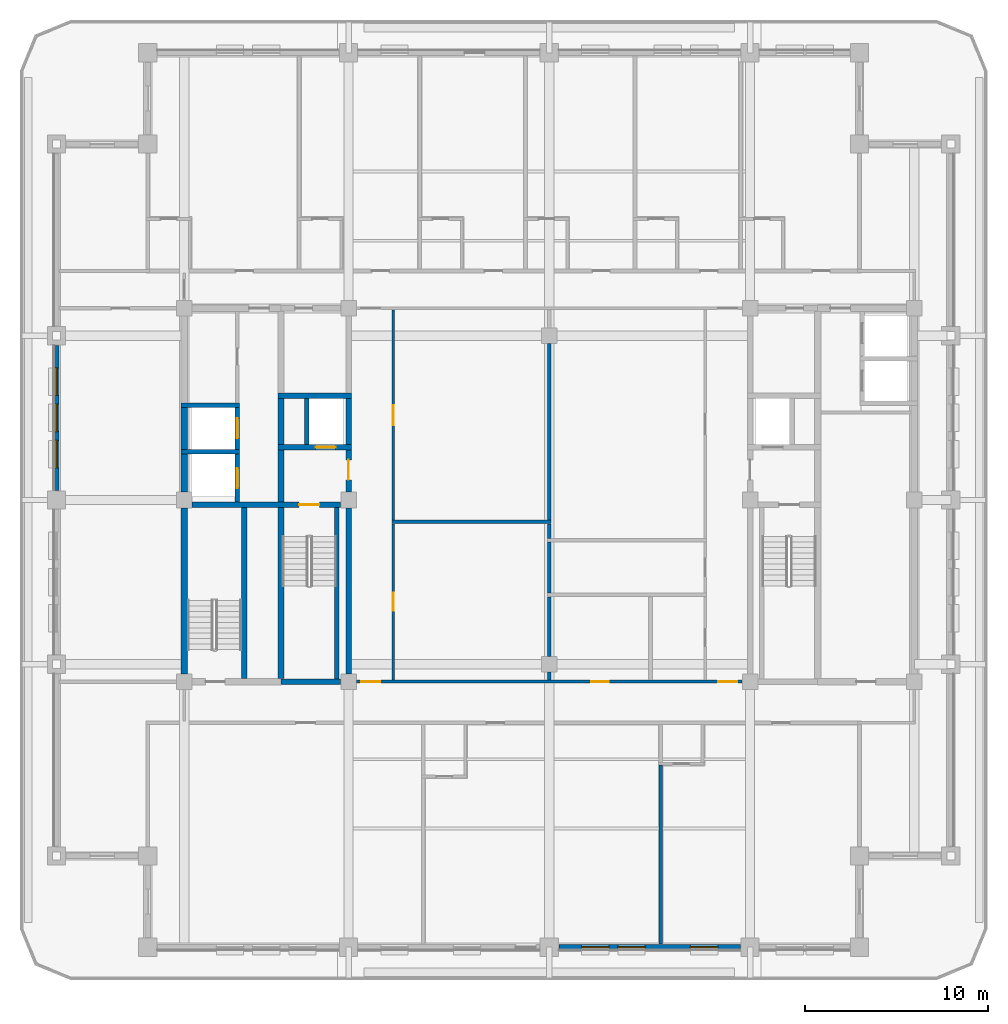
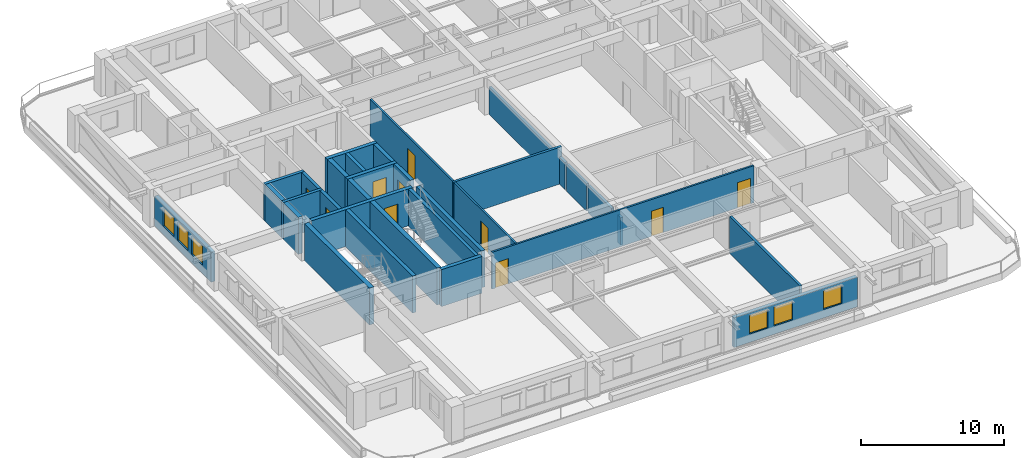
# One storey, part 3 of 14: 32 walls, 10 doors, 6 windows, 16 openings.
"""IFC4 building model written with IfcOpenShell, lengths in metres."""

from ifc_helpers import new_model, si_unit, direction, frame, frame_2d, origin, place, context, subcontext, project, spatial, rectangle, extrude, material, layer, layer_set, type_object, element, fill, save


model = new_model("IFC4")

# Units and contexts
model_context = context("Model", 3, precision=1e-05, world=origin(), true_north=direction((0.0, 1.0)))
body_context = subcontext(model_context, "Body", "Model", "MODEL_VIEW")
ifc_project = project(units=[si_unit("LENGTHUNIT", "METRE"), si_unit("AREAUNIT", "SQUARE_METRE"), si_unit("VOLUMEUNIT", "CUBIC_METRE"), si_unit("PLANEANGLEUNIT", "RADIAN"), si_unit("MASSUNIT", "GRAM", prefix="KILO")], contexts=[model_context])

# Site, building, storey
site_placement = place(None, origin())
site = spatial("IfcSite", under=ifc_project, at=site_placement, CompositionType="ELEMENT")
building_placement = place(site_placement, origin())
building = spatial("IfcBuilding", under=site, at=building_placement, Name="Zulmaris Gate Convention Tower", CompositionType="ELEMENT")
storey_placement = place(building_placement, frame((0.0, 0.0, 194.85986328125)))
storey = spatial("IfcBuildingStorey", under=building, at=storey_placement, Name="L50", CompositionType="ELEMENT", Elevation=194.85986328125)

# Walls
ifc_material_1 = material(Name="Concrete C50/60", Category="concrete")
ifc_layer_1 = layer(ifc_material_1, 0.25, Name="Concrete C50/60")
ifc_layer_set_1 = layer_set([ifc_layer_1], Name="Concrete C50/60")
wall_type_1 = type_object("IfcWallType", Name="CORE-250", PredefinedType="SOLIDWALL", material=ifc_layer_set_1)
for number, where, z_axis, x_axis, name in (
    (1, (-20.175048828125, 2.64990234375, 0.0), (0.0, 0.0, 1.0), (1.0, 0.0, 0.0), "WL-L50-007"),
    (2, (-20.175048828125, 5.199951171875, 0.0), (0.0, 0.0, 1.0), (1.0, 0.0, 0.0), "WL-L50-010"),
):
    element("IfcWall", number, at=place(storey_placement, frame(where, z_axis=z_axis, x_axis=x_axis)), inside=storey, type_object=wall_type_1, Name=name, PredefinedType="SOLIDWALL", context=body_context, shape_type="SweptSolid", body=[
        extrude(rectangle(XDim=3.199951171875, YDim=0.25, at=frame_2d((1.60009765625, 0.0))), origin(), (0.0, 0.0, 1.0), 3.150146484375),
    ])

# Wall, opening, door
wall_1_placement = place(storey_placement, frame((-17.10009765625, -0.097900390625, 0.0), z_axis=(0.0, 0.0, 1.0), x_axis=(0.0, 1.0, 0.0)))
wall_1 = element("IfcWall", 3, at=wall_1_placement, inside=storey, type_object=wall_type_1, Name="WL-L50-044", PredefinedType="SOLIDWALL", context=body_context, shape_type="SweptSolid", body=[
    extrude(rectangle(XDim=2.620849609375, YDim=0.25, at=frame_2d((1.310546875, 0.0))), origin(), (0.0, 0.0, 1.0), 3.150146484375),
])
opening_1_placement = place(wall_1_placement, frame((0.748046875, 0.0, 0.0)))
opening_1 = element("IfcOpeningElement", 4, at=opening_1_placement, cuts=wall_1, Name="Opening D-06", PredefinedType="OPENING", context=body_context, shape_type="SweptSolid", body=[
    extrude(rectangle(XDim=1.10009765625, YDim=2.199951171875, at=frame_2d((0.550048828125, 1.10009765625))), frame((0.0, 0.135009765625, 0.0), z_axis=(0.0, -1.0, 0.0), x_axis=(1.0, 0.0, 0.0)), (0.0, 0.0, 1.0), 0.27001953125),
])
ifc_material_2 = material(Name="Brushed Stainless Steel", Category="steel")
door_type_1 = type_object("IfcDoorType", Name="LD-1100", OperationType="NOTDEFINED", PredefinedType="DOOR", material=ifc_material_2)
door_1_placement = place(opening_1_placement, origin())
door_1 = element("IfcDoor", 5, at=door_1_placement, inside=storey, type_object=door_type_1, Name="L50 Lift Landing Door HP-03 10", OperationType="SLIDING_TO_LEFT", OverallHeight=2.199951171875, OverallWidth=1.10009765625, PredefinedType="DOOR", context=body_context, shape_type="SweptSolid", body=[
    extrude(rectangle(XDim=1.10009765625, YDim=2.199951171875, at=frame_2d((0.550048828125, 1.10009765625))), frame((0.0, 0.02490234375, 0.0), z_axis=(0.0, -1.0, 0.0), x_axis=(1.0, 0.0, 0.0)), (0.0, 0.0, 1.0), 0.050048828125),
])
fill(opening_1, door_1)

wall_2_placement = place(storey_placement, frame((-17.10009765625, 2.777099609375, 0.0), z_axis=(0.0, 0.0, 1.0), x_axis=(0.0, 1.0, 0.0)))
wall_2 = element("IfcWall", 6, at=wall_2_placement, inside=storey, type_object=wall_type_1, Name="WL-L50-045", PredefinedType="SOLIDWALL", context=body_context, shape_type="SweptSolid", body=[
    extrude(rectangle(XDim=2.2958984375, YDim=0.25, at=frame_2d((1.14794921875, 0.0))), origin(), (0.0, 0.0, 1.0), 3.150146484375),
])
opening_2_placement = place(wall_2_placement, frame((0.597900390625, 0.0, 0.0)))
opening_2 = element("IfcOpeningElement", 7, at=opening_2_placement, cuts=wall_2, Name="Opening D-06", PredefinedType="OPENING", context=body_context, shape_type="SweptSolid", body=[
    extrude(rectangle(XDim=1.10009765625, YDim=2.199951171875, at=frame_2d((0.550048828125, 1.10009765625))), frame((0.0, 0.135009765625, 0.0), z_axis=(0.0, -1.0, 0.0), x_axis=(1.0, 0.0, 0.0)), (0.0, 0.0, 1.0), 0.27001953125),
])
door_2_placement = place(opening_2_placement, origin())
door_2 = element("IfcDoor", 8, at=door_2_placement, inside=storey, type_object=door_type_1, Name="L50 Lift Landing Door HP-04 11", OperationType="SLIDING_TO_LEFT", OverallHeight=2.199951171875, OverallWidth=1.10009765625, PredefinedType="DOOR", context=body_context, shape_type="SweptSolid", body=[
    extrude(rectangle(XDim=1.10009765625, YDim=2.199951171875, at=frame_2d((0.550048828125, 1.10009765625))), frame((0.0, 0.02490234375, 0.0), z_axis=(0.0, -1.0, 0.0), x_axis=(1.0, 0.0, 0.0)), (0.0, 0.0, 1.0), 0.050048828125),
])
fill(opening_2, door_2)

# Walls
wall_3_placement = place(storey_placement, frame((-13.300048828125, 3.052001953125, 0.0), z_axis=(0.0, 0.0, 1.0), x_axis=(0.0, 1.0, 0.0)))
element("IfcWall", 9, at=wall_3_placement, inside=storey, type_object=wall_type_1, Name="WL-L50-051", PredefinedType="SOLIDWALL", context=body_context, shape_type="SweptSolid", body=[
    extrude(rectangle(XDim=2.49609375, YDim=0.25, at=frame_2d((1.248046875, 0.0))), origin(), (0.0, 0.0, 1.0), 3.150146484375),
])
wall_4_placement = place(storey_placement, frame((-11.64990234375, -9.798095703125, 0.0), z_axis=(0.0, 0.0, 1.0), x_axis=(0.0, 1.0, 0.0)))
element("IfcWall", 10, at=wall_4_placement, inside=storey, type_object=wall_type_1, Name="WL-L50-052", PredefinedType="SOLIDWALL", context=body_context, shape_type="SweptSolid", body=[
    extrude(rectangle(XDim=9.39599609375, YDim=0.25, at=frame_2d((4.697998046875, 0.0))), origin(), (0.0, 0.0, 1.0), 3.150146484375),
])
ifc_layer_2 = layer(ifc_material_1, 0.300048828125, Name="Concrete C50/60")
ifc_layer_set_2 = layer_set([ifc_layer_2], Name="Concrete C50/60")
wall_type_2 = type_object("IfcWallType", Name="CORE-300", PredefinedType="SHEAR", material=ifc_layer_set_2)
wall_5_placement = place(storey_placement, frame((-14.699951171875, -9.949951171875, 0.0), z_axis=(0.0, 0.0, 1.0), x_axis=(1.0, 0.0, 0.0)))
element("IfcWall", 11, at=wall_5_placement, inside=storey, type_object=wall_type_2, Name="WL-L50-002", PredefinedType="SHEAR", context=body_context, shape_type="SweptSolid", body=[
    extrude(rectangle(XDim=3.27099609375, YDim=0.300048828125, at=frame_2d((1.635498046875, 0.0))), origin(), (0.0, 0.0, 1.0), 3.150146484375),
])

# Wall, opening, door
wall_6_placement = place(storey_placement, frame((-19.571044921875, -0.25, 0.0), z_axis=(0.0, 0.0, 1.0), x_axis=(1.0, 0.0, 0.0)))
wall_6 = element("IfcWall", 12, at=wall_6_placement, inside=storey, type_object=wall_type_2, Name="WL-L50-005", PredefinedType="SHEAR", context=body_context, shape_type="SweptSolid", body=[
    extrude(rectangle(XDim=8.14208984375, YDim=0.300048828125, at=frame_2d((4.071044921875, 0.0))), origin(), (0.0, 0.0, 1.0), 3.150146484375),
])
opening_3_placement = place(wall_6_placement, frame((5.87109375, 0.0, 0.0)))
opening_3 = element("IfcOpeningElement", 13, at=opening_3_placement, cuts=wall_6, Name="Opening D-08", PredefinedType="OPENING", context=body_context, shape_type="SweptSolid", body=[
    extrude(rectangle(XDim=1.10009765625, YDim=2.14990234375, at=frame_2d((0.550048828125, 1.074951171875))), frame((0.0, 0.16015625, 0.0), z_axis=(0.0, -1.0, 0.0), x_axis=(1.0, 0.0, 0.0)), (0.0, 0.0, 1.0), 0.320068359375),
])
ifc_material_3 = material(Name="Fire-Rated Steel", Category="steel")
door_type_2 = type_object("IfcDoorType", Name="DR-1100-FD", OperationType="NOTDEFINED", PredefinedType="DOOR", material=ifc_material_3)
door_3_placement = place(opening_3_placement, origin())
door_3 = element("IfcDoor", 14, at=door_3_placement, inside=storey, type_object=door_type_2, Name="L50 Exit Stair ST-1 Door 01", OperationType="SINGLE_SWING_RIGHT", OverallHeight=2.14990234375, OverallWidth=1.10009765625, PredefinedType="DOOR", context=body_context, shape_type="SweptSolid", body=[
    extrude(rectangle(XDim=1.10009765625, YDim=2.14990234375, at=frame_2d((0.550048828125, 1.074951171875))), frame((0.0, 0.02490234375, 0.0), z_axis=(0.0, -1.0, 0.0), x_axis=(1.0, 0.0, 0.0)), (0.0, 0.0, 1.0), 0.050048828125),
])
fill(opening_3, door_3)

wall_7_placement = place(storey_placement, frame((-14.875, 2.89990234375, 0.0), z_axis=(0.0, 0.0, 1.0), x_axis=(1.0, 0.0, 0.0)))
wall_7 = element("IfcWall", 15, at=wall_7_placement, inside=storey, type_object=wall_type_2, Name="WL-L50-008", PredefinedType="SHEAR", context=body_context, shape_type="SweptSolid", body=[
    extrude(rectangle(XDim=4.02490234375, YDim=0.300048828125, at=frame_2d((2.012451171875, 0.0))), origin(), (0.0, 0.0, 1.0), 3.150146484375),
])
opening_4_placement = place(wall_7_placement, frame((2.074951171875, 0.0, 0.0)))
opening_4 = element("IfcOpeningElement", 16, at=opening_4_placement, cuts=wall_7, Name="Opening D-06", PredefinedType="OPENING", context=body_context, shape_type="SweptSolid", body=[
    extrude(rectangle(XDim=1.10009765625, YDim=2.199951171875, at=frame_2d((0.550048828125, 1.10009765625))), frame((0.0, 0.16015625, 0.0), z_axis=(0.0, -1.0, 0.0), x_axis=(1.0, 0.0, 0.0)), (0.0, 0.0, 1.0), 0.320068359375),
])
door_4_placement = place(opening_4_placement, origin())
door_4 = element("IfcDoor", 17, at=door_4_placement, inside=storey, type_object=door_type_1, Name="L50 Lift Landing Door LF-01 03", OperationType="SLIDING_TO_LEFT", OverallHeight=2.199951171875, OverallWidth=1.10009765625, PredefinedType="DOOR", context=body_context, shape_type="SweptSolid", body=[
    extrude(rectangle(XDim=1.10009765625, YDim=2.199951171875, at=frame_2d((0.550048828125, 1.10009765625))), frame((0.0, 0.02490234375, 0.0), z_axis=(0.0, -1.0, 0.0), x_axis=(1.0, 0.0, 0.0)), (0.0, 0.0, 1.0), 0.050048828125),
])
fill(opening_4, door_4)

# Walls
wall_8_placement = place(storey_placement, frame((-14.875, 5.699951171875, 0.0), z_axis=(0.0, 0.0, 1.0), x_axis=(1.0, 0.0, 0.0)))
element("IfcWall", 18, at=wall_8_placement, inside=storey, type_object=wall_type_2, Name="WL-L50-012", PredefinedType="SHEAR", context=body_context, shape_type="SweptSolid", body=[
    extrude(rectangle(XDim=4.02490234375, YDim=0.300048828125, at=frame_2d((2.012451171875, 0.0))), origin(), (0.0, 0.0, 1.0), 3.150146484375),
])
wall_9_placement = place(storey_placement, frame((-16.699951171875, -9.77294921875, 0.0), z_axis=(0.0, 0.0, 1.0), x_axis=(0.0, 1.0, 0.0)))
element("IfcWall", 19, at=wall_9_placement, inside=storey, type_object=wall_type_2, Name="WL-L50-046", PredefinedType="SHEAR", context=body_context, shape_type="SweptSolid", body=[
    extrude(rectangle(XDim=9.370849609375, YDim=0.300048828125, at=frame_2d((4.685546875, 0.0))), origin(), (0.0, 0.0, 1.0), 3.150146484375),
])
wall_10_placement = place(storey_placement, frame((-11.0, -9.52099609375, 0.0), z_axis=(0.0, 0.0, 1.0), x_axis=(0.0, 1.0, 0.0)))
element("IfcWall", 20, at=wall_10_placement, inside=storey, type_object=wall_type_2, Name="WL-L50-053", PredefinedType="SHEAR", context=body_context, shape_type="SweptSolid", body=[
    extrude(rectangle(XDim=9.092041015625, YDim=0.300048828125, at=frame_2d((4.5458984375, 0.0))), origin(), (0.0, 0.0, 1.0), 3.150146484375),
])

# Wall, opening, door
wall_11_placement = place(storey_placement, frame((-11.0, 0.428955078125, 0.0), z_axis=(0.0, 0.0, 1.0), x_axis=(0.0, 1.0, 0.0)))
wall_11 = element("IfcWall", 21, at=wall_11_placement, inside=storey, type_object=wall_type_2, Name="WL-L50-054", PredefinedType="SHEAR", context=body_context, shape_type="SweptSolid", body=[
    extrude(rectangle(XDim=2.319091796875, YDim=0.300048828125, at=frame_2d((1.15966796875, 0.0))), origin(), (0.0, 0.0, 1.0), 3.150146484375),
])
opening_5_placement = place(wall_11_placement, frame((0.6708984375, 0.0, 0.0)))
opening_5 = element("IfcOpeningElement", 22, at=opening_5_placement, cuts=wall_11, Name="Opening D-08", PredefinedType="OPENING", context=body_context, shape_type="SweptSolid", body=[
    extrude(rectangle(XDim=1.10009765625, YDim=2.14990234375, at=frame_2d((0.550048828125, 1.074951171875))), frame((0.0, 0.16015625, 0.0), z_axis=(0.0, -1.0, 0.0), x_axis=(1.0, 0.0, 0.0)), (0.0, 0.0, 1.0), 0.320068359375),
])
door_5_placement = place(opening_5_placement, origin())
door_5 = element("IfcDoor", 23, at=door_5_placement, inside=storey, type_object=door_type_2, Name="L50 West Firefighting Lobby Door 02", OperationType="SINGLE_SWING_LEFT", OverallHeight=2.14990234375, OverallWidth=1.10009765625, PredefinedType="DOOR", context=body_context, shape_type="SweptSolid", body=[
    extrude(rectangle(XDim=1.10009765625, YDim=2.14990234375, at=frame_2d((0.550048828125, 1.074951171875))), frame((0.0, 0.02490234375, 0.0), z_axis=(0.0, -1.0, 0.0), x_axis=(1.0, 0.0, 0.0)), (0.0, 0.0, 1.0), 0.050048828125),
])
fill(opening_5, door_5)

# Walls
wall_12_placement = place(storey_placement, frame((-11.0, 3.052001953125, 0.0), z_axis=(0.0, 0.0, 1.0), x_axis=(0.0, 1.0, 0.0)))
element("IfcWall", 24, at=wall_12_placement, inside=storey, type_object=wall_type_2, Name="WL-L50-055", PredefinedType="SHEAR", context=body_context, shape_type="SweptSolid", body=[
    extrude(rectangle(XDim=2.49609375, YDim=0.300048828125, at=frame_2d((1.248046875, 0.0))), origin(), (0.0, 0.0, 1.0), 3.150146484375),
])
ifc_material_4 = material(Name="Concrete C55/67", Category="concrete")
ifc_layer_3 = layer(ifc_material_4, 0.35009765625, Name="Concrete C55/67")
ifc_layer_set_3 = layer_set([ifc_layer_3], Name="Concrete C55/67")
wall_type_3 = type_object("IfcWallType", Name="CORE-350", PredefinedType="SHEAR", material=ifc_layer_set_3)
wall_13_placement = place(storey_placement, frame((-20.0, -9.52099609375, 0.0), z_axis=(0.0, 0.0, 1.0), x_axis=(0.0, 1.0, 0.0)))
element("IfcWall", 25, at=wall_13_placement, inside=storey, type_object=wall_type_3, Name="WL-L50-040", PredefinedType="SHEAR", context=body_context, shape_type="SweptSolid", body=[
    extrude(rectangle(XDim=9.092041015625, YDim=0.35009765625, at=frame_2d((4.5458984375, 0.0))), origin(), (0.0, 0.0, 1.0), 3.150146484375),
])
wall_14_placement = place(storey_placement, frame((-20.0, 0.428955078125, 0.0), z_axis=(0.0, 0.0, 1.0), x_axis=(0.0, 1.0, 0.0)))
element("IfcWall", 26, at=wall_14_placement, inside=storey, type_object=wall_type_3, Name="WL-L50-041", PredefinedType="SHEAR", context=body_context, shape_type="SweptSolid", body=[
    extrude(rectangle(XDim=2.093994140625, YDim=0.35009765625, at=frame_2d((1.046875, 0.0))), origin(), (0.0, 0.0, 1.0), 3.150146484375),
])
wall_15_placement = place(storey_placement, frame((-20.0, 2.777099609375, 0.0), z_axis=(0.0, 0.0, 1.0), x_axis=(0.0, 1.0, 0.0)))
element("IfcWall", 27, at=wall_15_placement, inside=storey, type_object=wall_type_3, Name="WL-L50-042", PredefinedType="SHEAR", context=body_context, shape_type="SweptSolid", body=[
    extrude(rectangle(XDim=2.2958984375, YDim=0.35009765625, at=frame_2d((1.14794921875, 0.0))), origin(), (0.0, 0.0, 1.0), 3.150146484375),
])
wall_16_placement = place(storey_placement, frame((-14.699951171875, -9.77294921875, 0.0), z_axis=(0.0, 0.0, 1.0), x_axis=(0.0, 1.0, 0.0)))
element("IfcWall", 28, at=wall_16_placement, inside=storey, type_object=wall_type_3, Name="WL-L50-047", PredefinedType="SHEAR", context=body_context, shape_type="SweptSolid", body=[
    extrude(rectangle(XDim=9.370849609375, YDim=0.35009765625, at=frame_2d((4.685546875, 0.0))), origin(), (0.0, 0.0, 1.0), 3.150146484375),
])
wall_17_placement = place(storey_placement, frame((-14.699951171875, -0.097900390625, 0.0), z_axis=(0.0, 0.0, 1.0), x_axis=(0.0, 1.0, 0.0)))
element("IfcWall", 29, at=wall_17_placement, inside=storey, type_object=wall_type_3, Name="WL-L50-048", PredefinedType="SHEAR", context=body_context, shape_type="SweptSolid", body=[
    extrude(rectangle(XDim=2.845947265625, YDim=0.35009765625, at=frame_2d((1.4228515625, 0.0))), origin(), (0.0, 0.0, 1.0), 3.150146484375),
])
wall_18_placement = place(storey_placement, frame((-14.699951171875, 3.052001953125, 0.0), z_axis=(0.0, 0.0, 1.0), x_axis=(0.0, 1.0, 0.0)))
element("IfcWall", 30, at=wall_18_placement, inside=storey, type_object=wall_type_3, Name="WL-L50-049", PredefinedType="SHEAR", context=body_context, shape_type="SweptSolid", body=[
    extrude(rectangle(XDim=2.49609375, YDim=0.35009765625, at=frame_2d((1.248046875, 0.0))), origin(), (0.0, 0.0, 1.0), 3.150146484375),
])

# Wall, openings, doors
ifc_material_5 = material(Name="Gypsum Metal Stud Partition")
ifc_layer_4 = layer(ifc_material_5, 0.14990234375, Name="Gypsum Metal Stud Partition")
ifc_layer_set_4 = layer_set([ifc_layer_4], Name="Gypsum Metal Stud Partition")
wall_type_4 = type_object("IfcWallType", Name="PART-150", PredefinedType="PARTITIONING", material=ifc_layer_set_4)
wall_19_placement = place(storey_placement, frame((-10.569091796875, -9.949951171875, 0.0), z_axis=(0.0, 0.0, 1.0), x_axis=(1.0, 0.0, 0.0)))
wall_19 = element("IfcWall", 31, at=wall_19_placement, inside=storey, type_object=wall_type_4, Name="WL-L50-024", PredefinedType="PARTITIONING", context=body_context, shape_type="SweptSolid", body=[
    extrude(rectangle(XDim=21.13818359375, YDim=0.14990234375, at=frame_2d((10.569091796875, 0.0))), origin(), (0.0, 0.0, 1.0), 3.150146484375),
])
opening_6_placement = place(wall_19_placement, frame((0.263916015625, 0.0, 0.0)))
opening_6 = element("IfcOpeningElement", 32, at=opening_6_placement, cuts=wall_19, Name="Opening D-09", PredefinedType="OPENING", context=body_context, shape_type="SweptSolid", body=[
    extrude(rectangle(XDim=1.050048828125, YDim=2.14990234375, at=frame_2d((0.52490234375, 1.074951171875))), frame((0.0, 0.0849609375, 0.0), z_axis=(0.0, -1.0, 0.0), x_axis=(1.0, 0.0, 0.0)), (0.0, 0.0, 1.0), 0.169921875),
])
opening_7_placement = place(wall_19_placement, frame((19.823974609375, 0.0, 0.0)))
opening_7 = element("IfcOpeningElement", 33, at=opening_7_placement, cuts=wall_19, Name="Opening D-09", PredefinedType="OPENING", context=body_context, shape_type="SweptSolid", body=[
    extrude(rectangle(XDim=1.050048828125, YDim=2.14990234375, at=frame_2d((0.52490234375, 1.074951171875))), frame((0.0, 0.0849609375, 0.0), z_axis=(0.0, -1.0, 0.0), x_axis=(1.0, 0.0, 0.0)), (0.0, 0.0, 1.0), 0.169921875),
])
opening_8_placement = place(wall_19_placement, frame((12.8740234375, 0.0, 0.0)))
opening_8 = element("IfcOpeningElement", 34, at=opening_8_placement, cuts=wall_19, Name="Opening D-11", PredefinedType="OPENING", context=body_context, shape_type="SweptSolid", body=[
    extrude(rectangle(XDim=0.949951171875, YDim=2.14990234375, at=frame_2d((0.47509765625, 1.074951171875))), frame((0.0, 0.0849609375, 0.0), z_axis=(0.0, -1.0, 0.0), x_axis=(1.0, 0.0, 0.0)), (0.0, 0.0, 1.0), 0.169921875),
])
door_type_3 = type_object("IfcDoorType", Name="DR-1050-FD", OperationType="NOTDEFINED", PredefinedType="DOOR", material=ifc_material_3)
door_6_placement = place(opening_6_placement, origin())
door_6 = element("IfcDoor", 35, at=door_6_placement, inside=storey, type_object=door_type_3, Name="L50 SW Hotel Loop Door 19", OperationType="SINGLE_SWING_RIGHT", OverallHeight=2.14990234375, OverallWidth=1.050048828125, PredefinedType="DOOR", context=body_context, shape_type="SweptSolid", body=[
    extrude(rectangle(XDim=1.050048828125, YDim=2.14990234375, at=frame_2d((0.52490234375, 1.074951171875))), frame((0.0, 0.02490234375, 0.0), z_axis=(0.0, -1.0, 0.0), x_axis=(1.0, 0.0, 0.0)), (0.0, 0.0, 1.0), 0.050048828125),
])
fill(opening_6, door_6)
door_7_placement = place(opening_7_placement, origin())
door_7 = element("IfcDoor", 36, at=door_7_placement, inside=storey, type_object=door_type_3, Name="L50 SE Hotel Loop Door 21", OperationType="SINGLE_SWING_RIGHT", OverallHeight=2.14990234375, OverallWidth=1.050048828125, PredefinedType="DOOR", context=body_context, shape_type="SweptSolid", body=[
    extrude(rectangle(XDim=1.050048828125, YDim=2.14990234375, at=frame_2d((0.52490234375, 1.074951171875))), frame((0.0, 0.02490234375, 0.0), z_axis=(0.0, -1.0, 0.0), x_axis=(1.0, 0.0, 0.0)), (0.0, 0.0, 1.0), 0.050048828125),
])
fill(opening_7, door_7)
ifc_material_6 = material(Name="Fire-Rated Timber", Category="wood")
door_type_4 = type_object("IfcDoorType", Name="DR-950-FD", OperationType="NOTDEFINED", PredefinedType="DOOR", material=ifc_material_6)
door_8_placement = place(opening_8_placement, origin())
door_8 = element("IfcDoor", 37, at=door_8_placement, inside=storey, type_object=door_type_4, Name="L50 Staging Store Door 44", OperationType="SINGLE_SWING_LEFT", OverallHeight=2.14990234375, OverallWidth=0.949951171875, PredefinedType="DOOR", context=body_context, shape_type="SweptSolid", body=[
    extrude(rectangle(XDim=0.949951171875, YDim=2.14990234375, at=frame_2d((0.47509765625, 1.074951171875))), frame((0.0, 0.02490234375, 0.0), z_axis=(0.0, -1.0, 0.0), x_axis=(1.0, 0.0, 0.0)), (0.0, 0.0, 1.0), 0.050048828125),
])
fill(opening_8, door_8)

# Wall, opening, door
wall_20_placement = place(storey_placement, frame((-8.550048828125, -9.8720703125, 0.0), z_axis=(0.0, 0.0, 1.0), x_axis=(0.0, 1.0, 0.0)))
wall_20 = element("IfcWall", 38, at=wall_20_placement, inside=storey, type_object=wall_type_4, Name="WL-L50-082", PredefinedType="PARTITIONING", context=body_context, shape_type="SweptSolid", body=[
    extrude(rectangle(XDim=8.569091796875, YDim=0.14990234375, at=frame_2d((4.28466796875, 0.0))), origin(), (0.0, 0.0, 1.0), 3.150146484375),
])
opening_9_placement = place(wall_20_placement, frame((3.802001953125, 0.0, 0.0)))
opening_9 = element("IfcOpeningElement", 39, at=opening_9_placement, cuts=wall_20, Name="Opening D-10", PredefinedType="OPENING", context=body_context, shape_type="SweptSolid", body=[
    extrude(rectangle(XDim=1.0, YDim=2.14990234375, at=frame_2d((0.5, 1.074951171875))), frame((0.0, 0.0849609375, 0.0), z_axis=(0.0, -1.0, 0.0), x_axis=(1.0, 0.0, 0.0)), (0.0, 0.0, 1.0), 0.169921875),
])
door_type_5 = type_object("IfcDoorType", Name="DR-1000-FD", OperationType="NOTDEFINED", PredefinedType="DOOR", material=ifc_material_6)
door_9_placement = place(opening_9_placement, origin())
door_9 = element("IfcDoor", 40, at=door_9_placement, inside=storey, type_object=door_type_5, Name="L50 Guest Study Door 40", OperationType="SINGLE_SWING_LEFT", OverallHeight=2.14990234375, OverallWidth=1.0, PredefinedType="DOOR", context=body_context, shape_type="SweptSolid", body=[
    extrude(rectangle(XDim=1.0, YDim=2.14990234375, at=frame_2d((0.5, 1.074951171875))), frame((0.0, 0.02490234375, 0.0), z_axis=(0.0, -1.0, 0.0), x_axis=(1.0, 0.0, 0.0)), (0.0, 0.0, 1.0), 0.050048828125),
])
fill(opening_9, door_9)

wall_21_placement = place(storey_placement, frame((-8.550048828125, -1.096923828125, 0.0), z_axis=(0.0, 0.0, 1.0), x_axis=(0.0, 1.0, 0.0)))
wall_21 = element("IfcWall", 41, at=wall_21_placement, inside=storey, type_object=wall_type_4, Name="WL-L50-083", PredefinedType="PARTITIONING", context=body_context, shape_type="SweptSolid", body=[
    extrude(rectangle(XDim=11.51904296875, YDim=0.14990234375, at=frame_2d((5.759521484375, 0.0))), origin(), (0.0, 0.0, 1.0), 3.150146484375),
])
opening_10_placement = place(wall_21_placement, frame((5.197021484375, 0.0, 0.0)))
opening_10 = element("IfcOpeningElement", 42, at=opening_10_placement, cuts=wall_21, Name="Opening D-08", PredefinedType="OPENING", context=body_context, shape_type="SweptSolid", body=[
    extrude(rectangle(XDim=1.10009765625, YDim=2.14990234375, at=frame_2d((0.550048828125, 1.074951171875))), frame((0.0, 0.0849609375, 0.0), z_axis=(0.0, -1.0, 0.0), x_axis=(1.0, 0.0, 0.0)), (0.0, 0.0, 1.0), 0.169921875),
])
door_10_placement = place(opening_10_placement, origin())
door_10 = element("IfcDoor", 43, at=door_10_placement, inside=storey, type_object=door_type_2, Name="L50 Club Lounge Door 39", OperationType="SINGLE_SWING_RIGHT", OverallHeight=2.14990234375, OverallWidth=1.10009765625, PredefinedType="DOOR", context=body_context, shape_type="SweptSolid", body=[
    extrude(rectangle(XDim=1.10009765625, YDim=2.14990234375, at=frame_2d((0.550048828125, 1.074951171875))), frame((0.0, 0.02490234375, 0.0), z_axis=(0.0, -1.0, 0.0), x_axis=(1.0, 0.0, 0.0)), (0.0, 0.0, 1.0), 0.050048828125),
])
fill(opening_10, door_10)

# Walls
ifc_material_7 = material(Name="Autoclaved Aerated Concrete Block and Plasterboard", Category="concrete")
ifc_layer_5 = layer(ifc_material_7, 0.199951171875, Name="Autoclaved Aerated Concrete Block and Plasterboard")
ifc_layer_set_5 = layer_set([ifc_layer_5], Name="Autoclaved Aerated Concrete Block and Plasterboard")
wall_type_5 = type_object("IfcWallType", Name="PART-200", PredefinedType="PARTITIONING", material=ifc_layer_set_5)
wall_22_placement = place(storey_placement, frame((-8.625, -1.199951171875, 0.0), z_axis=(0.0, 0.0, 1.0), x_axis=(1.0, 0.0, 0.0)))
element("IfcWall", 44, at=wall_22_placement, inside=storey, type_object=wall_type_5, Name="WL-L50-027", PredefinedType="PARTITIONING", context=body_context, shape_type="SweptSolid", body=[
    extrude(rectangle(XDim=8.72509765625, YDim=0.199951171875, at=frame_2d((4.362548828125, 0.0))), origin(), (0.0, 0.0, 1.0), 3.150146484375),
])
wall_23_placement = place(storey_placement, frame((0.0, -9.8720703125, 0.0), z_axis=(0.0, 0.0, 1.0), x_axis=(0.0, 1.0, 0.0)))
element("IfcWall", 45, at=wall_23_placement, inside=storey, type_object=wall_type_5, Name="WL-L50-092", PredefinedType="PARTITIONING", context=body_context, shape_type="SweptSolid", body=[
    extrude(rectangle(XDim=0.441162109375, YDim=0.199951171875, at=frame_2d((0.220703125, 0.0))), origin(), (0.0, 0.0, 1.0), 2.342041015625),
])
wall_24_placement = place(storey_placement, frame((0.0, -8.569091796875, 0.0), z_axis=(0.0, 0.0, 1.0), x_axis=(0.0, 1.0, 0.0)))
element("IfcWall", 46, at=wall_24_placement, inside=storey, type_object=wall_type_5, Name="WL-L50-092S1", PredefinedType="PARTITIONING", context=body_context, shape_type="SweptSolid", body=[
    extrude(rectangle(XDim=3.26611328125, YDim=0.199951171875, at=frame_2d((1.633056640625, 0.0))), origin(), (0.0, 0.0, 1.0), 2.342041015625),
])
wall_25_placement = place(storey_placement, frame((0.0, -5.096923828125, 0.0), z_axis=(0.0, 0.0, 1.0), x_axis=(0.0, 1.0, 0.0)))
element("IfcWall", 47, at=wall_25_placement, inside=storey, type_object=wall_type_5, Name="WL-L50-093", PredefinedType="PARTITIONING", context=body_context, shape_type="SweptSolid", body=[
    extrude(rectangle(XDim=2.7939453125, YDim=0.199951171875, at=frame_2d((1.39697265625, 0.0))), origin(), (0.0, 0.0, 1.0), 2.342041015625),
])
wall_26_placement = place(storey_placement, frame((0.0, -2.096923828125, 0.0), z_axis=(0.0, 0.0, 1.0), x_axis=(0.0, 1.0, 0.0)))
element("IfcWall", 48, at=wall_26_placement, inside=storey, type_object=wall_type_5, Name="WL-L50-094", PredefinedType="PARTITIONING", context=body_context, shape_type="SweptSolid", body=[
    extrude(rectangle(XDim=0.7939453125, YDim=0.199951171875, at=frame_2d((0.39697265625, 0.0))), origin(), (0.0, 0.0, 1.0), 2.342041015625),
])
wall_27_placement = place(storey_placement, frame((0.0, -1.096923828125, 0.0), z_axis=(0.0, 0.0, 1.0), x_axis=(0.0, 1.0, 0.0)))
element("IfcWall", 49, at=wall_27_placement, inside=storey, type_object=wall_type_5, Name="WL-L50-095", PredefinedType="PARTITIONING", context=body_context, shape_type="SweptSolid", body=[
    extrude(rectangle(XDim=9.666015625, YDim=0.199951171875, at=frame_2d((4.8330078125, 0.0))), origin(), (0.0, 0.0, 1.0), 2.342041015625),
])
wall_28_placement = place(storey_placement, frame((6.10009765625, -24.3349609375, 0.0), z_axis=(0.0, 0.0, 1.0), x_axis=(0.0, 1.0, 0.0)))
element("IfcWall", 50, at=wall_28_placement, inside=storey, type_object=wall_type_5, Name="WL-L50-100", PredefinedType="PARTITIONING", context=body_context, shape_type="SweptSolid", body=[
    extrude(rectangle(XDim=9.806884765625, YDim=0.199951171875, at=frame_2d((4.9033203125, 0.0))), origin(), (0.0, 0.0, 1.0), 3.150146484375),
])

# Wall, openings, windows
ifc_material_8 = material(Name="Precast concrete C40/50", Category="concrete")
ifc_layer_6 = layer(ifc_material_8, 0.300048828125, Name="Precast concrete C40/50")
ifc_layer_set_6 = layer_set([ifc_layer_6], Name="Precast concrete C40/50")
wall_type_6 = type_object("IfcWallType", Name="PRECAST-PIER-300", PredefinedType="STANDARD", material=ifc_layer_set_6)
wall_29_placement = place(storey_placement, frame((0.530029296875, -24.5, 0.0), z_axis=(0.0, 0.0, 1.0), x_axis=(1.0, 0.0, 0.0)))
wall_29 = element("IfcWall", 51, at=wall_29_placement, inside=storey, type_object=wall_type_6, Name="EW-L50-S-2_0", PredefinedType="STANDARD", context=body_context, shape_type="SweptSolid", body=[
    extrude(rectangle(XDim=9.93994140625, YDim=0.300048828125, at=frame_2d((4.969970703125, 0.0))), origin(), (0.0, 0.0, 1.0), 2.542236328125),
])
opening_11_placement = place(wall_29_placement, frame((1.238037109375, 0.0, 0.719970703125)))
opening_11 = element("IfcOpeningElement", 52, at=opening_11_placement, cuts=wall_29, Name="Opening W-03", PredefinedType="OPENING", context=body_context, shape_type="SweptSolid", body=[
    extrude(rectangle(XDim=1.5, YDim=1.60009765625, at=frame_2d((0.75, 0.800048828125))), frame((0.0, 0.16015625, 0.0), z_axis=(0.0, -1.0, 0.0), x_axis=(1.0, 0.0, 0.0)), (0.0, 0.0, 1.0), 0.320068359375),
])
opening_12_placement = place(wall_29_placement, frame((3.22607421875, 0.0, 0.719970703125)))
opening_12 = element("IfcOpeningElement", 53, at=opening_12_placement, cuts=wall_29, Name="Opening W-03", PredefinedType="OPENING", context=body_context, shape_type="SweptSolid", body=[
    extrude(rectangle(XDim=1.5, YDim=1.60009765625, at=frame_2d((0.75, 0.800048828125))), frame((0.0, 0.16015625, 0.0), z_axis=(0.0, -1.0, 0.0), x_axis=(1.0, 0.0, 0.0)), (0.0, 0.0, 1.0), 0.320068359375),
])
opening_13_placement = place(wall_29_placement, frame((7.201904296875, 0.0, 0.719970703125)))
opening_13 = element("IfcOpeningElement", 54, at=opening_13_placement, cuts=wall_29, Name="Opening W-03", PredefinedType="OPENING", context=body_context, shape_type="SweptSolid", body=[
    extrude(rectangle(XDim=1.5, YDim=1.60009765625, at=frame_2d((0.75, 0.800048828125))), frame((0.0, 0.16015625, 0.0), z_axis=(0.0, -1.0, 0.0), x_axis=(1.0, 0.0, 0.0)), (0.0, 0.0, 1.0), 0.320068359375),
])
ifc_material_9 = material(Name="Low-E Laminated Double Glazing in Aluminium Frame", Category="aluminium")
window_type = type_object("IfcWindowType", Name="WIN-1500x2100", PartitioningType="SINGLE_PANEL", PredefinedType="WINDOW", material=ifc_material_9)
window_1_placement = place(opening_11_placement, origin())
window_1 = element("IfcWindow", 55, at=window_1_placement, inside=storey, type_object=window_type, Name="WN-EW-L50-S-2_0-1", OverallHeight=1.60009765625, OverallWidth=1.5, PartitioningType="SINGLE_PANEL", PredefinedType="WINDOW", context=body_context, shape_type="SweptSolid", body=[
    extrude(rectangle(XDim=1.5, YDim=1.60009765625, at=frame_2d((0.75, 0.800048828125))), frame((0.0, 0.030029296875, 0.0), z_axis=(0.0, -1.0, 0.0), x_axis=(1.0, 0.0, 0.0)), (0.0, 0.0, 1.0), 0.06005859375),
])
fill(opening_11, window_1)
window_2_placement = place(opening_12_placement, origin())
window_2 = element("IfcWindow", 56, at=window_2_placement, inside=storey, type_object=window_type, Name="WN-EW-L50-S-2_0-2", OverallHeight=1.60009765625, OverallWidth=1.5, PartitioningType="SINGLE_PANEL", PredefinedType="WINDOW", context=body_context, shape_type="SweptSolid", body=[
    extrude(rectangle(XDim=1.5, YDim=1.60009765625, at=frame_2d((0.75, 0.800048828125))), frame((0.0, 0.030029296875, 0.0), z_axis=(0.0, -1.0, 0.0), x_axis=(1.0, 0.0, 0.0)), (0.0, 0.0, 1.0), 0.06005859375),
])
fill(opening_12, window_2)
window_3_placement = place(opening_13_placement, origin())
window_3 = element("IfcWindow", 57, at=window_3_placement, inside=storey, type_object=window_type, Name="WN-EW-L50-S-2_0-4", OverallHeight=1.60009765625, OverallWidth=1.5, PartitioningType="SINGLE_PANEL", PredefinedType="WINDOW", context=body_context, shape_type="SweptSolid", body=[
    extrude(rectangle(XDim=1.5, YDim=1.60009765625, at=frame_2d((0.75, 0.800048828125))), frame((0.0, 0.030029296875, 0.0), z_axis=(0.0, -1.0, 0.0), x_axis=(1.0, 0.0, 0.0)), (0.0, 0.0, 1.0), 0.06005859375),
])
fill(opening_13, window_3)

wall_30_placement = place(storey_placement, frame((-27.0, 8.469970703125, 0.0), z_axis=(0.0, 0.0, 1.0), x_axis=(0.0, -1.0, 0.0)))
wall_30 = element("IfcWall", 58, at=wall_30_placement, inside=storey, type_object=wall_type_6, Name="EW-L50-W-2_0", PredefinedType="STANDARD", context=body_context, shape_type="SweptSolid", body=[
    extrude(rectangle(XDim=7.93994140625, YDim=0.300048828125, at=frame_2d((3.969970703125, 0.0))), origin(), (0.0, 0.0, 1.0), 2.542236328125),
])
opening_14_placement = place(wall_30_placement, frame((1.235107421875, 0.0, 0.719970703125)))
opening_14 = element("IfcOpeningElement", 59, at=opening_14_placement, cuts=wall_30, Name="Opening W-03", PredefinedType="OPENING", context=body_context, shape_type="SweptSolid", body=[
    extrude(rectangle(XDim=1.5, YDim=1.60009765625, at=frame_2d((0.75, 0.800048828125))), frame((0.0, 0.16015625, 0.0), z_axis=(0.0, -1.0, 0.0), x_axis=(1.0, 0.0, 0.0)), (0.0, 0.0, 1.0), 0.320068359375),
])
opening_15_placement = place(wall_30_placement, frame((3.219970703125, 0.0, 0.719970703125)))
opening_15 = element("IfcOpeningElement", 60, at=opening_15_placement, cuts=wall_30, Name="Opening W-03", PredefinedType="OPENING", context=body_context, shape_type="SweptSolid", body=[
    extrude(rectangle(XDim=1.5, YDim=1.60009765625, at=frame_2d((0.75, 0.800048828125))), frame((0.0, 0.16015625, 0.0), z_axis=(0.0, -1.0, 0.0), x_axis=(1.0, 0.0, 0.0)), (0.0, 0.0, 1.0), 0.320068359375),
])
opening_16_placement = place(wall_30_placement, frame((5.205078125, 0.0, 0.719970703125)))
opening_16 = element("IfcOpeningElement", 61, at=opening_16_placement, cuts=wall_30, Name="Opening W-03", PredefinedType="OPENING", context=body_context, shape_type="SweptSolid", body=[
    extrude(rectangle(XDim=1.5, YDim=1.60009765625, at=frame_2d((0.75, 0.800048828125))), frame((0.0, 0.16015625, 0.0), z_axis=(0.0, -1.0, 0.0), x_axis=(1.0, 0.0, 0.0)), (0.0, 0.0, 1.0), 0.320068359375),
])
window_4_placement = place(opening_14_placement, origin())
window_4 = element("IfcWindow", 62, at=window_4_placement, inside=storey, type_object=window_type, Name="WN-EW-L50-W-2_0-1", OverallHeight=1.60009765625, OverallWidth=1.5, PartitioningType="SINGLE_PANEL", PredefinedType="WINDOW", context=body_context, shape_type="SweptSolid", body=[
    extrude(rectangle(XDim=1.5, YDim=1.60009765625, at=frame_2d((0.75, 0.800048828125))), frame((0.0, 0.030029296875, 0.0), z_axis=(0.0, -1.0, 0.0), x_axis=(1.0, 0.0, 0.0)), (0.0, 0.0, 1.0), 0.06005859375),
])
fill(opening_14, window_4)
window_5_placement = place(opening_15_placement, origin())
window_5 = element("IfcWindow", 63, at=window_5_placement, inside=storey, type_object=window_type, Name="WN-EW-L50-W-2_0-2", OverallHeight=1.60009765625, OverallWidth=1.5, PartitioningType="SINGLE_PANEL", PredefinedType="WINDOW", context=body_context, shape_type="SweptSolid", body=[
    extrude(rectangle(XDim=1.5, YDim=1.60009765625, at=frame_2d((0.75, 0.800048828125))), frame((0.0, 0.030029296875, 0.0), z_axis=(0.0, -1.0, 0.0), x_axis=(1.0, 0.0, 0.0)), (0.0, 0.0, 1.0), 0.06005859375),
])
fill(opening_15, window_5)
window_6_placement = place(opening_16_placement, origin())
window_6 = element("IfcWindow", 64, at=window_6_placement, inside=storey, type_object=window_type, Name="WN-EW-L50-W-2_0-3", OverallHeight=1.60009765625, OverallWidth=1.5, PartitioningType="SINGLE_PANEL", PredefinedType="WINDOW", context=body_context, shape_type="SweptSolid", body=[
    extrude(rectangle(XDim=1.5, YDim=1.60009765625, at=frame_2d((0.75, 0.800048828125))), frame((0.0, 0.030029296875, 0.0), z_axis=(0.0, -1.0, 0.0), x_axis=(1.0, 0.0, 0.0)), (0.0, 0.0, 1.0), 0.06005859375),
])
fill(opening_16, window_6)

save(model, "model.ifc")
